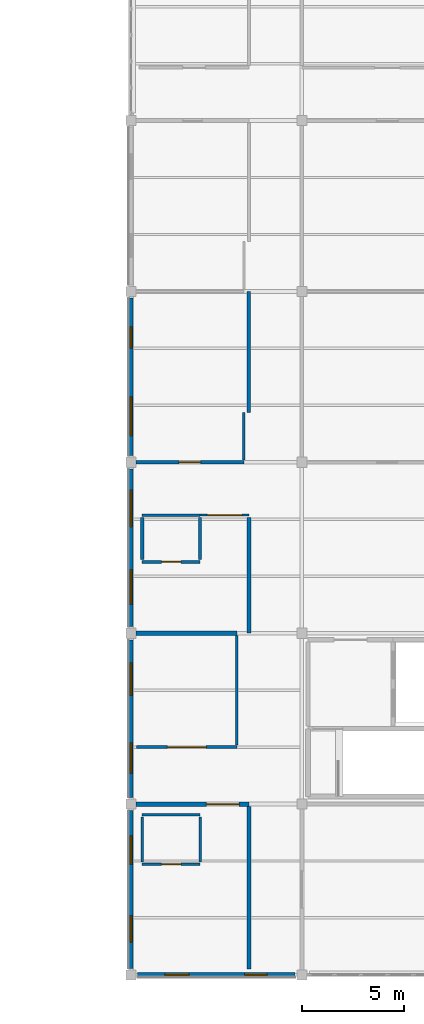
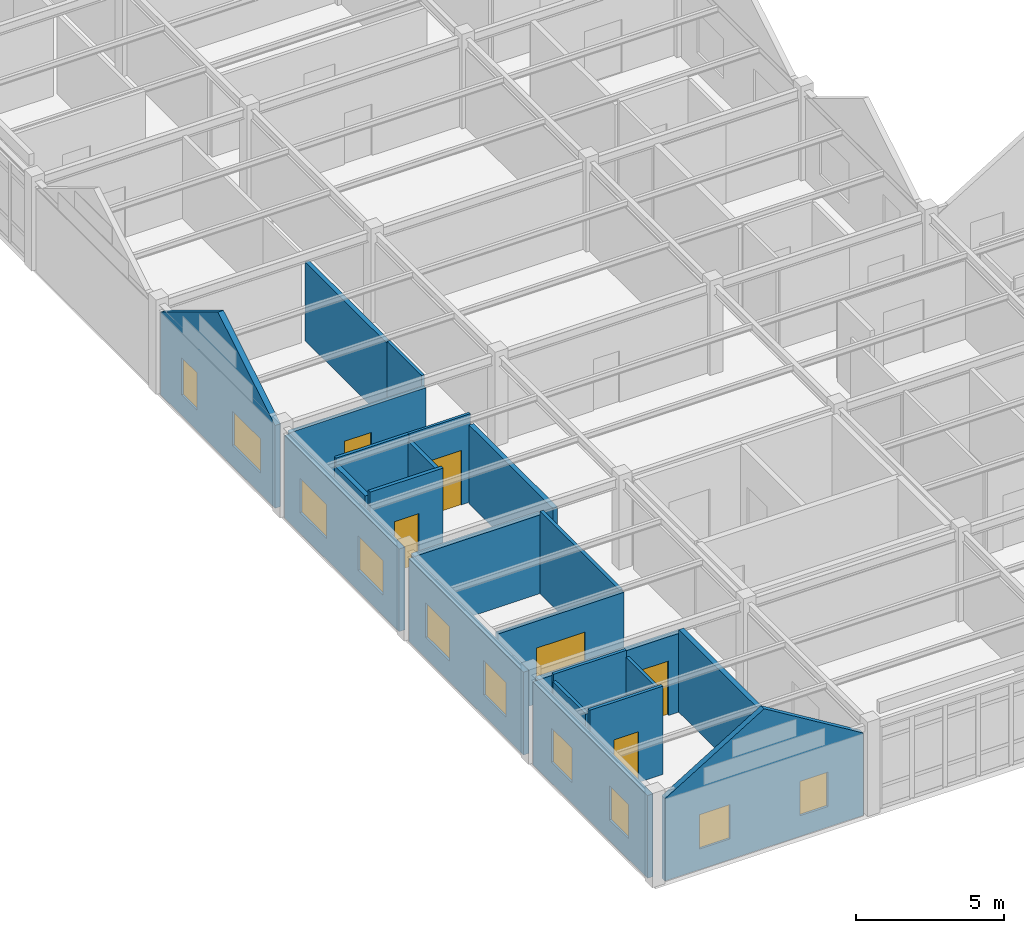
# One storey, part 32 of 45: 23 walls, 10 windows, 6 doors, 16 openings.
"""IFC4 building model written with IfcOpenShell, lengths in metres."""

from ifc_helpers import new_model, si_unit, direction, frame, frame_2d, origin, place, context, subcontext, project, spatial, polyline, rectangle, outline, extrude, material, layer, layer_set, type_object, element, fill, save


model = new_model("IFC4")

# Units and contexts
model_context = context("Model", 3, precision=1e-05, world=origin(), true_north=direction((0.0, 1.0)))
body_context = subcontext(model_context, "Body", "Model", "MODEL_VIEW")
ifc_project = project(units=[si_unit("LENGTHUNIT", "METRE"), si_unit("AREAUNIT", "SQUARE_METRE"), si_unit("VOLUMEUNIT", "CUBIC_METRE"), si_unit("PLANEANGLEUNIT", "RADIAN"), si_unit("MASSUNIT", "GRAM", prefix="KILO")], contexts=[model_context])

# Site, building, storey
site_placement = place(None, origin())
site = spatial("IfcSite", under=ifc_project, at=site_placement, CompositionType="ELEMENT")
building_placement = place(site_placement, origin())
building = spatial("IfcBuilding", under=site, at=building_placement, Name="Bramfleet General Hospital", CompositionType="ELEMENT")
storey_placement = place(building_placement, frame((0.0, 0.0, 30.300048828125)))
storey = spatial("IfcBuildingStorey", under=building, at=storey_placement, Name="L07", CompositionType="ELEMENT", Elevation=30.300048828125)

# Wall, openings, windows
ifc_material_1 = material(Name="Structural timber GL28h", Category="wood")
ifc_layer_1 = layer(ifc_material_1, 0.219970703125, Name="WT-EW-10")
ifc_layer_set_1 = layer_set([ifc_layer_1], Name="Structural timber GL28h")
wall_type_1 = type_object("IfcWallType", Name="WT-EW-10", PredefinedType="SOLIDWALL", material=ifc_layer_set_1)
wall_1_placement = place(storey_placement, frame((100.47509765625, 0.0, 0.0), z_axis=(0.0, 0.0, 1.0), x_axis=(-1.0, 0.0, 0.0)))
wall_1 = element("IfcWall", 1, at=wall_1_placement, inside=storey, type_object=wall_type_1, Name="L07 Exterior Wall 455", PredefinedType="SOLIDWALL", context=body_context, shape_type="SweptSolid", body=[
    extrude(outline(polyline([(0.0, 0.0), (7.75, 0.0), (7.75, 3.39990234375), (3.875, 5.76025390625), (0.0, 3.39990234375), (0.0, 0.0)])), frame((0.0, 0.10986328125, 0.0), z_axis=(0.0, -1.0, 0.0), x_axis=(1.0, 0.0, 0.0)), (0.0, 0.0, 1.0), 0.219970703125),
])
opening_1_placement = place(wall_1_placement, frame((1.387451171875, 0.0, 0.85009765625)))
opening_1 = element("IfcOpeningElement", 2, at=opening_1_placement, cuts=wall_1, Name="Opening W-12", PredefinedType="OPENING", context=body_context, shape_type="SweptSolid", body=[
    extrude(rectangle(XDim=1.10009765625, YDim=1.419921875, at=frame_2d((0.550048828125, 0.7099609375))), frame((0.0, 0.119873046875, 0.0), z_axis=(0.0, -1.0, 0.0), x_axis=(1.0, 0.0, 0.0)), (0.0, 0.0, 1.0), 0.239990234375),
])
opening_2_placement = place(wall_1_placement, frame((5.21240234375, 0.0, 0.85009765625)))
opening_2 = element("IfcOpeningElement", 3, at=opening_2_placement, cuts=wall_1, Name="Opening W-13", PredefinedType="OPENING", context=body_context, shape_type="SweptSolid", body=[
    extrude(rectangle(XDim=1.199951171875, YDim=1.419921875, at=frame_2d((0.60009765625, 0.7099609375))), frame((0.0, 0.119873046875, 0.0), z_axis=(0.0, -1.0, 0.0), x_axis=(1.0, 0.0, 0.0)), (0.0, 0.0, 1.0), 0.239990234375),
])
ifc_material_2 = material(Name="Anodised aluminium and low-E triple glazing", Category="aluminium")
window_type_1 = type_object("IfcWindowType", Name="WIN-W-12", PartitioningType="SINGLE_PANEL", PredefinedType="WINDOW", material=ifc_material_2)
window_1_placement = place(opening_1_placement, origin())
window_1 = element("IfcWindow", 4, at=window_1_placement, inside=storey, type_object=window_type_1, Name="L07 Facade Window WIN-L07-455-1", OverallHeight=1.419921875, OverallWidth=1.10009765625, PartitioningType="SINGLE_PANEL", PredefinedType="WINDOW", context=body_context, shape_type="SweptSolid", body=[
    extrude(rectangle(XDim=1.10009765625, YDim=1.419921875, at=frame_2d((0.550048828125, 0.7099609375))), frame((0.0, 0.030029296875, 0.0), z_axis=(0.0, -1.0, 0.0), x_axis=(1.0, 0.0, 0.0)), (0.0, 0.0, 1.0), 0.06005859375),
])
fill(opening_1, window_1)
window_type_2 = type_object("IfcWindowType", Name="WIN-W-13", PartitioningType="SINGLE_PANEL", PredefinedType="WINDOW", material=ifc_material_2)
window_2_placement = place(opening_2_placement, origin())
window_2 = element("IfcWindow", 5, at=window_2_placement, inside=storey, type_object=window_type_2, Name="L07 Facade Window WIN-L07-455-2", OverallHeight=1.419921875, OverallWidth=1.199951171875, PartitioningType="SINGLE_PANEL", PredefinedType="WINDOW", context=body_context, shape_type="SweptSolid", body=[
    extrude(rectangle(XDim=1.199951171875, YDim=1.419921875, at=frame_2d((0.60009765625, 0.7099609375))), frame((0.0, 0.030029296875, 0.0), z_axis=(0.0, -1.0, 0.0), x_axis=(1.0, 0.0, 0.0)), (0.0, 0.0, 1.0), 0.06005859375),
])
fill(opening_2, window_2)

wall_2_placement = place(storey_placement, frame((92.39990234375, 0.324951171875, 0.0), z_axis=(0.0, 0.0, 1.0), x_axis=(0.0, 1.0, 0.0)))
wall_2 = element("IfcWall", 6, at=wall_2_placement, inside=storey, type_object=wall_type_1, Name="L07 Exterior Wall 456", PredefinedType="SOLIDWALL", context=body_context, shape_type="SweptSolid", body=[
    extrude(rectangle(XDim=7.75, YDim=0.219970703125, at=frame_2d((3.875, 0.0))), origin(), (0.0, 0.0, 1.0), 3.419921875),
])
opening_3_placement = place(wall_2_placement, frame((1.28759765625, 0.0, 0.85009765625)))
opening_3 = element("IfcOpeningElement", 7, at=opening_3_placement, cuts=wall_2, Name="Opening W-14", PredefinedType="OPENING", context=body_context, shape_type="SweptSolid", body=[
    extrude(rectangle(XDim=1.300048828125, YDim=1.419921875, at=frame_2d((0.64990234375, 0.7099609375))), frame((0.0, 0.119873046875, 0.0), z_axis=(0.0, -1.0, 0.0), x_axis=(1.0, 0.0, 0.0)), (0.0, 0.0, 1.0), 0.239990234375),
])
opening_4_placement = place(wall_2_placement, frame((5.112548828125, 0.0, 0.85009765625)))
opening_4 = element("IfcOpeningElement", 8, at=opening_4_placement, cuts=wall_2, Name="Opening W-15", PredefinedType="OPENING", context=body_context, shape_type="SweptSolid", body=[
    extrude(rectangle(XDim=1.39990234375, YDim=1.419921875, at=frame_2d((0.699951171875, 0.7099609375))), frame((0.0, 0.119873046875, 0.0), z_axis=(0.0, -1.0, 0.0), x_axis=(1.0, 0.0, 0.0)), (0.0, 0.0, 1.0), 0.239990234375),
])
window_type_3 = type_object("IfcWindowType", Name="WIN-W-14", PartitioningType="SINGLE_PANEL", PredefinedType="WINDOW", material=ifc_material_2)
window_3_placement = place(opening_3_placement, origin())
window_3 = element("IfcWindow", 9, at=window_3_placement, inside=storey, type_object=window_type_3, Name="L07 Facade Window WIN-L07-456-1", OverallHeight=1.419921875, OverallWidth=1.300048828125, PartitioningType="SINGLE_PANEL", PredefinedType="WINDOW", context=body_context, shape_type="SweptSolid", body=[
    extrude(rectangle(XDim=1.300048828125, YDim=1.419921875, at=frame_2d((0.64990234375, 0.7099609375))), frame((0.0, 0.030029296875, 0.0), z_axis=(0.0, -1.0, 0.0), x_axis=(1.0, 0.0, 0.0)), (0.0, 0.0, 1.0), 0.06005859375),
])
fill(opening_3, window_3)
window_type_4 = type_object("IfcWindowType", Name="WIN-W-15", PartitioningType="SINGLE_PANEL", PredefinedType="WINDOW", material=ifc_material_2)
window_4_placement = place(opening_4_placement, origin())
window_4 = element("IfcWindow", 10, at=window_4_placement, inside=storey, type_object=window_type_4, Name="L07 Facade Window WIN-L07-456-2", OverallHeight=1.419921875, OverallWidth=1.39990234375, PartitioningType="SINGLE_PANEL", PredefinedType="WINDOW", context=body_context, shape_type="SweptSolid", body=[
    extrude(rectangle(XDim=1.39990234375, YDim=1.419921875, at=frame_2d((0.699951171875, 0.7099609375))), frame((0.0, 0.030029296875, 0.0), z_axis=(0.0, -1.0, 0.0), x_axis=(1.0, 0.0, 0.0)), (0.0, 0.0, 1.0), 0.06005859375),
])
fill(opening_4, window_4)

wall_3_placement = place(storey_placement, frame((92.39990234375, 8.72509765625, 0.0), z_axis=(0.0, 0.0, 1.0), x_axis=(0.0, 1.0, 0.0)))
wall_3 = element("IfcWall", 11, at=wall_3_placement, inside=storey, type_object=wall_type_1, Name="L07 Exterior Wall 457", PredefinedType="SOLIDWALL", context=body_context, shape_type="SweptSolid", body=[
    extrude(rectangle(XDim=7.75, YDim=0.219970703125, at=frame_2d((3.875, 0.0))), origin(), (0.0, 0.0, 1.0), 3.419921875),
])
opening_5_placement = place(wall_3_placement, frame((1.1875, 0.0, 0.85009765625)))
opening_5 = element("IfcOpeningElement", 12, at=opening_5_placement, cuts=wall_3, Name="Opening W-16", PredefinedType="OPENING", context=body_context, shape_type="SweptSolid", body=[
    extrude(rectangle(XDim=1.5, YDim=1.419921875, at=frame_2d((0.75, 0.7099609375))), frame((0.0, 0.119873046875, 0.0), z_axis=(0.0, -1.0, 0.0), x_axis=(1.0, 0.0, 0.0)), (0.0, 0.0, 1.0), 0.239990234375),
])
opening_6_placement = place(wall_3_placement, frame((5.012451171875, 0.0, 0.85009765625)))
opening_6 = element("IfcOpeningElement", 13, at=opening_6_placement, cuts=wall_3, Name="Opening W-17", PredefinedType="OPENING", context=body_context, shape_type="SweptSolid", body=[
    extrude(rectangle(XDim=1.60009765625, YDim=1.419921875, at=frame_2d((0.800048828125, 0.7099609375))), frame((0.0, 0.119873046875, 0.0), z_axis=(0.0, -1.0, 0.0), x_axis=(1.0, 0.0, 0.0)), (0.0, 0.0, 1.0), 0.239990234375),
])
window_type_5 = type_object("IfcWindowType", Name="WIN-W-16", PartitioningType="SINGLE_PANEL", PredefinedType="WINDOW", material=ifc_material_2)
window_5_placement = place(opening_5_placement, origin())
window_5 = element("IfcWindow", 14, at=window_5_placement, inside=storey, type_object=window_type_5, Name="L07 Facade Window WIN-L07-457-1", OverallHeight=1.419921875, OverallWidth=1.5, PartitioningType="SINGLE_PANEL", PredefinedType="WINDOW", context=body_context, shape_type="SweptSolid", body=[
    extrude(rectangle(XDim=1.5, YDim=1.419921875, at=frame_2d((0.75, 0.7099609375))), frame((0.0, 0.030029296875, 0.0), z_axis=(0.0, -1.0, 0.0), x_axis=(1.0, 0.0, 0.0)), (0.0, 0.0, 1.0), 0.06005859375),
])
fill(opening_5, window_5)
window_type_6 = type_object("IfcWindowType", Name="WIN-W-17", PartitioningType="SINGLE_PANEL", PredefinedType="WINDOW", material=ifc_material_2)
window_6_placement = place(opening_6_placement, origin())
window_6 = element("IfcWindow", 15, at=window_6_placement, inside=storey, type_object=window_type_6, Name="L07 Facade Window WIN-L07-457-2", OverallHeight=1.419921875, OverallWidth=1.60009765625, PartitioningType="SINGLE_PANEL", PredefinedType="WINDOW", context=body_context, shape_type="SweptSolid", body=[
    extrude(rectangle(XDim=1.60009765625, YDim=1.419921875, at=frame_2d((0.800048828125, 0.7099609375))), frame((0.0, 0.030029296875, 0.0), z_axis=(0.0, -1.0, 0.0), x_axis=(1.0, 0.0, 0.0)), (0.0, 0.0, 1.0), 0.06005859375),
])
fill(opening_6, window_6)

wall_4_placement = place(storey_placement, frame((92.39990234375, 17.125, 0.0), z_axis=(0.0, 0.0, 1.0), x_axis=(0.0, 1.0, 0.0)))
wall_4 = element("IfcWall", 16, at=wall_4_placement, inside=storey, type_object=wall_type_1, Name="L07 Exterior Wall 458", PredefinedType="SOLIDWALL", context=body_context, shape_type="SweptSolid", body=[
    extrude(rectangle(XDim=7.75, YDim=0.219970703125, at=frame_2d((3.875, 0.0))), origin(), (0.0, 0.0, 1.0), 3.419921875),
])
opening_7_placement = place(wall_4_placement, frame((1.08740234375, 0.0, 0.85009765625)))
opening_7 = element("IfcOpeningElement", 17, at=opening_7_placement, cuts=wall_4, Name="Opening W-18", PredefinedType="OPENING", context=body_context, shape_type="SweptSolid", body=[
    extrude(rectangle(XDim=1.699951171875, YDim=1.419921875, at=frame_2d((0.85009765625, 0.7099609375))), frame((0.0, 0.119873046875, 0.0), z_axis=(0.0, -1.0, 0.0), x_axis=(1.0, 0.0, 0.0)), (0.0, 0.0, 1.0), 0.239990234375),
])
opening_8_placement = place(wall_4_placement, frame((4.91259765625, 0.0, 0.85009765625)))
opening_8 = element("IfcOpeningElement", 18, at=opening_8_placement, cuts=wall_4, Name="Opening W-19", PredefinedType="OPENING", context=body_context, shape_type="SweptSolid", body=[
    extrude(rectangle(XDim=1.800048828125, YDim=1.419921875, at=frame_2d((0.89990234375, 0.7099609375))), frame((0.0, 0.119873046875, 0.0), z_axis=(0.0, -1.0, 0.0), x_axis=(1.0, 0.0, 0.0)), (0.0, 0.0, 1.0), 0.239990234375),
])
window_type_7 = type_object("IfcWindowType", Name="WIN-W-18", PartitioningType="SINGLE_PANEL", PredefinedType="WINDOW", material=ifc_material_2)
window_7_placement = place(opening_7_placement, origin())
window_7 = element("IfcWindow", 19, at=window_7_placement, inside=storey, type_object=window_type_7, Name="L07 Facade Window WIN-L07-458-1", OverallHeight=1.419921875, OverallWidth=1.699951171875, PartitioningType="SINGLE_PANEL", PredefinedType="WINDOW", context=body_context, shape_type="SweptSolid", body=[
    extrude(rectangle(XDim=1.699951171875, YDim=1.419921875, at=frame_2d((0.85009765625, 0.7099609375))), frame((0.0, 0.030029296875, 0.0), z_axis=(0.0, -1.0, 0.0), x_axis=(1.0, 0.0, 0.0)), (0.0, 0.0, 1.0), 0.06005859375),
])
fill(opening_7, window_7)
window_type_8 = type_object("IfcWindowType", Name="WIN-W-19", PartitioningType="SINGLE_PANEL", PredefinedType="WINDOW", material=ifc_material_2)
window_8_placement = place(opening_8_placement, origin())
window_8 = element("IfcWindow", 20, at=window_8_placement, inside=storey, type_object=window_type_8, Name="L07 Facade Window WIN-L07-458-2", OverallHeight=1.419921875, OverallWidth=1.800048828125, PartitioningType="SINGLE_PANEL", PredefinedType="WINDOW", context=body_context, shape_type="SweptSolid", body=[
    extrude(rectangle(XDim=1.800048828125, YDim=1.419921875, at=frame_2d((0.89990234375, 0.7099609375))), frame((0.0, 0.030029296875, 0.0), z_axis=(0.0, -1.0, 0.0), x_axis=(1.0, 0.0, 0.0)), (0.0, 0.0, 1.0), 0.06005859375),
])
fill(opening_8, window_8)

wall_5_placement = place(storey_placement, frame((92.39990234375, 25.52490234375, 0.0), z_axis=(0.0, 0.0, 1.0), x_axis=(0.0, 1.0, 0.0)))
wall_5 = element("IfcWall", 21, at=wall_5_placement, inside=storey, type_object=wall_type_1, Name="L07 Exterior Wall 459", PredefinedType="SOLIDWALL", context=body_context, shape_type="SweptSolid", body=[
    extrude(outline(polyline([(0.0, 0.0), (7.75, 0.0), (7.75, 3.419921875), (3.875, 5.76025390625), (0.0, 3.419921875), (0.0, 0.0)])), frame((0.0, 0.10986328125, 0.0), z_axis=(0.0, -1.0, 0.0), x_axis=(1.0, 0.0, 0.0)), (0.0, 0.0, 1.0), 0.219970703125),
])
opening_9_placement = place(wall_5_placement, frame((0.987548828125, 0.0, 0.85009765625)))
opening_9 = element("IfcOpeningElement", 22, at=opening_9_placement, cuts=wall_5, Name="Opening W-20", PredefinedType="OPENING", context=body_context, shape_type="SweptSolid", body=[
    extrude(rectangle(XDim=1.89990234375, YDim=1.419921875, at=frame_2d((0.949951171875, 0.7099609375))), frame((0.0, 0.119873046875, 0.0), z_axis=(0.0, -1.0, 0.0), x_axis=(1.0, 0.0, 0.0)), (0.0, 0.0, 1.0), 0.239990234375),
])
opening_10_placement = place(wall_5_placement, frame((5.28759765625, 0.0, 0.85009765625)))
opening_10 = element("IfcOpeningElement", 23, at=opening_10_placement, cuts=wall_5, Name="Opening W-21", PredefinedType="OPENING", context=body_context, shape_type="SweptSolid", body=[
    extrude(rectangle(XDim=1.050048828125, YDim=1.5400390625, at=frame_2d((0.52490234375, 0.77001953125))), frame((0.0, 0.119873046875, 0.0), z_axis=(0.0, -1.0, 0.0), x_axis=(1.0, 0.0, 0.0)), (0.0, 0.0, 1.0), 0.239990234375),
])
window_type_9 = type_object("IfcWindowType", Name="WIN-W-20", PartitioningType="SINGLE_PANEL", PredefinedType="WINDOW", material=ifc_material_2)
window_9_placement = place(opening_9_placement, origin())
window_9 = element("IfcWindow", 24, at=window_9_placement, inside=storey, type_object=window_type_9, Name="L07 Facade Window WIN-L07-459-1", OverallHeight=1.419921875, OverallWidth=1.89990234375, PartitioningType="SINGLE_PANEL", PredefinedType="WINDOW", context=body_context, shape_type="SweptSolid", body=[
    extrude(rectangle(XDim=1.89990234375, YDim=1.419921875, at=frame_2d((0.949951171875, 0.7099609375))), frame((0.0, 0.030029296875, 0.0), z_axis=(0.0, -1.0, 0.0), x_axis=(1.0, 0.0, 0.0)), (0.0, 0.0, 1.0), 0.06005859375),
])
fill(opening_9, window_9)
window_type_10 = type_object("IfcWindowType", Name="WIN-W-21", PartitioningType="SINGLE_PANEL", PredefinedType="WINDOW", material=ifc_material_2)
window_10_placement = place(opening_10_placement, origin())
window_10 = element("IfcWindow", 25, at=window_10_placement, inside=storey, type_object=window_type_10, Name="L07 Facade Window WIN-L07-459-2", OverallHeight=1.5400390625, OverallWidth=1.050048828125, PartitioningType="SINGLE_PANEL", PredefinedType="WINDOW", context=body_context, shape_type="SweptSolid", body=[
    extrude(rectangle(XDim=1.050048828125, YDim=1.5400390625, at=frame_2d((0.52490234375, 0.77001953125))), frame((0.0, 0.030029296875, 0.0), z_axis=(0.0, -1.0, 0.0), x_axis=(1.0, 0.0, 0.0)), (0.0, 0.0, 1.0), 0.06005859375),
])
fill(opening_10, window_10)

# Wall, opening, door
ifc_material_3 = material(Name="Concrete C35/45", Category="concrete")
ifc_layer_2 = layer(ifc_material_3, 0.219970703125, Name="WT-IW-01")
ifc_layer_set_2 = layer_set([ifc_layer_2], Name="Concrete C35/45")
wall_type_2 = type_object("IfcWallType", Name="WT-IW-01", PredefinedType="PARTITIONING", material=ifc_layer_set_2)
wall_6_placement = place(storey_placement, frame((92.64501953125, 8.39990234375, 0.0), z_axis=(0.0, 0.0, 1.0), x_axis=(1.0, 0.0, 0.0)))
wall_6 = element("IfcWall", 26, at=wall_6_placement, inside=storey, type_object=wall_type_2, Name="L07 Interior Partition IW-L07-4129", PredefinedType="PARTITIONING", context=body_context, shape_type="SweptSolid", body=[
    extrude(rectangle(XDim=5.554931640625, YDim=0.219970703125, at=frame_2d((2.77734375, 0.0))), origin(), (0.0, 0.0, 1.0), 3.25),
])
opening_11_placement = place(wall_6_placement, frame((3.4658203125, 0.0, 0.0)))
opening_11 = element("IfcOpeningElement", 27, at=opening_11_placement, cuts=wall_6, Name="Opening D1540", PredefinedType="OPENING", context=body_context, shape_type="SweptSolid", body=[
    extrude(rectangle(XDim=1.60009765625, YDim=2.25, at=frame_2d((0.800048828125, 1.125))), frame((0.0, 0.119873046875, 0.0), z_axis=(0.0, -1.0, 0.0), x_axis=(1.0, 0.0, 0.0)), (0.0, 0.0, 1.0), 0.239990234375),
])
ifc_material_4 = material(Name="Stainless steel and acoustic timber leaf", Category="steel")
door_type_1 = type_object("IfcDoorType", Name="DR-D-04", OperationType="NOTDEFINED", PredefinedType="DOOR", material=ifc_material_4)
door_1_placement = place(opening_11_placement, origin())
door_1 = element("IfcDoor", 28, at=door_1_placement, inside=storey, type_object=door_type_1, Name="Gabled Patient House PH-05 Bedroom 1100 Door D1540", OperationType="DOUBLE_SWING_LEFT", OverallHeight=2.25, OverallWidth=1.60009765625, PredefinedType="DOOR", context=body_context, shape_type="SweptSolid", body=[
    extrude(rectangle(XDim=1.60009765625, YDim=2.25, at=frame_2d((0.800048828125, 1.125))), frame((0.0, 0.02490234375, 0.0), z_axis=(0.0, -1.0, 0.0), x_axis=(1.0, 0.0, 0.0)), (0.0, 0.0, 1.0), 0.050048828125),
])
fill(opening_11, door_1)

# Walls
wall_7_placement = place(storey_placement, frame((92.64501953125, 16.800048828125, 0.0), z_axis=(0.0, 0.0, 1.0), x_axis=(1.0, 0.0, 0.0)))
element("IfcWall", 29, at=wall_7_placement, inside=storey, type_object=wall_type_2, Name="L07 Interior Partition IW-L07-4141", PredefinedType="PARTITIONING", context=body_context, shape_type="SweptSolid", body=[
    extrude(rectangle(XDim=4.955078125, YDim=0.219970703125, at=frame_2d((2.4775390625, 0.0))), origin(), (0.0, 0.0, 1.0), 3.25),
])
ifc_layer_3 = layer(ifc_material_3, 0.18994140625, Name="WT-IW-03")
ifc_layer_set_3 = layer_set([ifc_layer_3], Name="Concrete C35/45")
wall_type_3 = type_object("IfcWallType", Name="WT-IW-03", PredefinedType="PARTITIONING", material=ifc_layer_set_3)
wall_8_placement = place(storey_placement, frame((98.199951171875, 0.280029296875, 0.0), z_axis=(0.0, 0.0, 1.0), x_axis=(0.0, 1.0, 0.0)))
element("IfcWall", 30, at=wall_8_placement, inside=storey, type_object=wall_type_3, Name="L07 Interior Partition IW-L07-4275", PredefinedType="PARTITIONING", context=body_context, shape_type="SweptSolid", body=[
    extrude(rectangle(XDim=8.0048828125, YDim=0.18994140625, at=frame_2d((4.00244140625, 0.0))), origin(), (0.0, 0.0, 1.0), 3.409912109375),
])
ifc_layer_4 = layer(ifc_material_3, 0.179931640625, Name="WT-IW-04")
ifc_layer_set_4 = layer_set([ifc_layer_4], Name="Concrete C35/45")
wall_type_4 = type_object("IfcWallType", Name="WT-IW-04", PredefinedType="PARTITIONING", material=ifc_layer_set_4)
wall_9_placement = place(storey_placement, frame((92.949951171875, 20.4150390625, 0.0), z_axis=(0.0, 0.0, 1.0), x_axis=(0.0, 1.0, 0.0)))
element("IfcWall", 31, at=wall_9_placement, inside=storey, type_object=wall_type_4, Name="L07 Interior Partition IW-L07-4264", PredefinedType="PARTITIONING", context=body_context, shape_type="SweptSolid", body=[
    extrude(rectangle(XDim=2.070068359375, YDim=0.179931640625, at=frame_2d((1.03515625, 0.0))), origin(), (0.0, 0.0, 1.0), 3.409912109375),
])
wall_10_placement = place(storey_placement, frame((98.199951171875, 16.800048828125, 0.0), z_axis=(0.0, 0.0, 1.0), x_axis=(0.0, 1.0, 0.0)))
element("IfcWall", 32, at=wall_10_placement, inside=storey, type_object=wall_type_4, Name="L07 Interior Partition IW-L07-4276", PredefinedType="PARTITIONING", context=body_context, shape_type="SweptSolid", body=[
    extrude(rectangle(XDim=5.68505859375, YDim=0.179931640625, at=frame_2d((2.842529296875, 0.0))), origin(), (0.0, 0.0, 1.0), 3.25),
])
ifc_material_5 = material(Name="Gypsum plasterboard on acoustic steel studs", Category="steel")
ifc_layer_5 = layer(ifc_material_5, 0.169921875, Name="WT-IW-05")
ifc_layer_set_5 = layer_set([ifc_layer_5], Name="Gypsum plasterboard on acoustic steel studs")
wall_type_5 = type_object("IfcWallType", Name="WT-IW-05", PredefinedType="PARTITIONING", material=ifc_layer_set_5)
wall_11_placement = place(storey_placement, frame((98.199951171875, 27.64990234375, 0.0), z_axis=(0.0, 0.0, 1.0), x_axis=(0.0, 1.0, 0.0)))
element("IfcWall", 33, at=wall_11_placement, inside=storey, type_object=wall_type_5, Name="L07 Interior Partition IW-L07-4277", PredefinedType="PARTITIONING", context=body_context, shape_type="SweptSolid", body=[
    extrude(rectangle(XDim=5.9501953125, YDim=0.169921875, at=frame_2d((2.97509765625, 0.0))), origin(), (0.0, 0.0, 1.0), 3.25),
])

# Wall, opening, door
ifc_layer_6 = layer(ifc_material_5, 0.159912109375, Name="WT-IW-06")
ifc_layer_set_6 = layer_set([ifc_layer_6], Name="Gypsum plasterboard on acoustic steel studs")
wall_type_6 = type_object("IfcWallType", Name="WT-IW-06", PredefinedType="PARTITIONING", material=ifc_layer_set_6)
wall_12_placement = place(storey_placement, frame((92.679931640625, 11.199951171875, 0.0), z_axis=(0.0, 0.0, 1.0), x_axis=(1.0, 0.0, 0.0)))
wall_12 = element("IfcWall", 34, at=wall_12_placement, inside=storey, type_object=wall_type_6, Name="L07 Interior Partition IW-L07-4134", PredefinedType="PARTITIONING", context=body_context, shape_type="SweptSolid", body=[
    extrude(rectangle(XDim=4.920166015625, YDim=0.159912109375, at=frame_2d((2.4599609375, 0.0))), origin(), (0.0, 0.0, 1.0), 3.409912109375),
])
opening_12_placement = place(wall_12_placement, frame((1.510009765625, 0.0, 0.0)))
opening_12 = element("IfcOpeningElement", 35, at=opening_12_placement, cuts=wall_12, Name="Opening D1542", PredefinedType="OPENING", context=body_context, shape_type="SweptSolid", body=[
    extrude(rectangle(XDim=1.89990234375, YDim=2.300048828125, at=frame_2d((0.949951171875, 1.14990234375))), frame((0.0, 0.08984375, 0.0), z_axis=(0.0, -1.0, 0.0), x_axis=(1.0, 0.0, 0.0)), (0.0, 0.0, 1.0), 0.179931640625),
])
door_type_2 = type_object("IfcDoorType", Name="DR-D-06", OperationType="NOTDEFINED", PredefinedType="DOOR", material=ifc_material_4)
door_2_placement = place(opening_12_placement, origin())
door_2 = element("IfcDoor", 36, at=door_2_placement, inside=storey, type_object=door_type_2, Name="Flat-Link Nurse Station and Medication Hub L07-1101 Door D1542", OperationType="DOUBLE_SWING_LEFT", OverallHeight=2.300048828125, OverallWidth=1.89990234375, PredefinedType="DOOR", context=body_context, shape_type="SweptSolid", body=[
    extrude(rectangle(XDim=1.89990234375, YDim=2.300048828125, at=frame_2d((0.949951171875, 1.14990234375))), frame((0.0, 0.02490234375, 0.0), z_axis=(0.0, -1.0, 0.0), x_axis=(1.0, 0.0, 0.0)), (0.0, 0.0, 1.0), 0.050048828125),
])
fill(opening_12, door_2)

wall_13_placement = place(storey_placement, frame((92.64501953125, 25.199951171875, 0.0), z_axis=(0.0, 0.0, 1.0), x_axis=(1.0, 0.0, 0.0)))
wall_13 = element("IfcWall", 37, at=wall_13_placement, inside=storey, type_object=wall_type_6, Name="L07 Interior Partition IW-L07-4158", PredefinedType="PARTITIONING", context=body_context, shape_type="SweptSolid", body=[
    extrude(rectangle(XDim=5.304931640625, YDim=0.159912109375, at=frame_2d((2.65234375, 0.0))), origin(), (0.0, 0.0, 1.0), 3.25),
])
opening_13_placement = place(wall_13_placement, frame((2.12744140625, 0.0, 0.0)))
opening_13 = element("IfcOpeningElement", 38, at=opening_13_placement, cuts=wall_13, Name="Opening D1545", PredefinedType="OPENING", context=body_context, shape_type="SweptSolid", body=[
    extrude(rectangle(XDim=1.050048828125, YDim=2.14990234375, at=frame_2d((0.52490234375, 1.074951171875))), frame((0.0, 0.08984375, 0.0), z_axis=(0.0, -1.0, 0.0), x_axis=(1.0, 0.0, 0.0)), (0.0, 0.0, 1.0), 0.179931640625),
])
door_type_3 = type_object("IfcDoorType", Name="DR-D-09", OperationType="NOTDEFINED", PredefinedType="DOOR", material=ifc_material_4)
door_3_placement = place(opening_13_placement, origin())
door_3 = element("IfcDoor", 39, at=door_3_placement, inside=storey, type_object=door_type_3, Name="Gabled Patient House PH-09 Bedroom 1103 Door D1545", OperationType="SINGLE_SWING_RIGHT", OverallHeight=2.14990234375, OverallWidth=1.050048828125, PredefinedType="DOOR", context=body_context, shape_type="SweptSolid", body=[
    extrude(rectangle(XDim=1.050048828125, YDim=2.14990234375, at=frame_2d((0.52490234375, 1.074951171875))), frame((0.0, 0.02490234375, 0.0), z_axis=(0.0, -1.0, 0.0), x_axis=(1.0, 0.0, 0.0)), (0.0, 0.0, 1.0), 0.050048828125),
])
fill(opening_13, door_3)

# Wall
ifc_layer_7 = layer(ifc_material_5, 0.14990234375, Name="WT-IW-07")
ifc_layer_set_7 = layer_set([ifc_layer_7], Name="Gypsum plasterboard on acoustic steel studs")
wall_type_7 = type_object("IfcWallType", Name="WT-IW-07", PredefinedType="PARTITIONING", material=ifc_layer_set_7)
wall_14_placement = place(storey_placement, frame((95.800048828125, 20.4150390625, 0.0), z_axis=(0.0, 0.0, 1.0), x_axis=(0.0, 1.0, 0.0)))
element("IfcWall", 40, at=wall_14_placement, inside=storey, type_object=wall_type_7, Name="L07 Interior Partition IW-L07-4267", PredefinedType="PARTITIONING", context=body_context, shape_type="SweptSolid", body=[
    extrude(rectangle(XDim=2.070068359375, YDim=0.14990234375, at=frame_2d((1.03515625, 0.0))), origin(), (0.0, 0.0, 1.0), 3.409912109375),
])

# Wall, opening, door
ifc_layer_8 = layer(ifc_material_5, 0.139892578125, Name="WT-IW-08")
ifc_layer_set_8 = layer_set([ifc_layer_8], Name="Gypsum plasterboard on acoustic steel studs")
wall_type_8 = type_object("IfcWallType", Name="WT-IW-08", PredefinedType="PARTITIONING", material=ifc_layer_set_8)
wall_15_placement = place(storey_placement, frame((92.949951171875, 20.300048828125, 0.0), z_axis=(0.0, 0.0, 1.0), x_axis=(1.0, 0.0, 0.0)))
wall_15 = element("IfcWall", 41, at=wall_15_placement, inside=storey, type_object=wall_type_8, Name="L07 Interior Partition IW-L07-4148", PredefinedType="PARTITIONING", context=body_context, shape_type="SweptSolid", body=[
    extrude(rectangle(XDim=2.85009765625, YDim=0.139892578125, at=frame_2d((1.425048828125, 0.0))), origin(), (0.0, 0.0, 1.0), 3.64990234375),
])
opening_14_placement = place(wall_15_placement, frame((0.949951171875, 0.0, 0.0)))
opening_14 = element("IfcOpeningElement", 42, at=opening_14_placement, cuts=wall_15, Name="Opening D1544", PredefinedType="OPENING", context=body_context, shape_type="SweptSolid", body=[
    extrude(rectangle(XDim=0.949951171875, YDim=2.10009765625, at=frame_2d((0.47509765625, 1.050048828125))), frame((0.0, 0.079833984375, 0.0), z_axis=(0.0, -1.0, 0.0), x_axis=(1.0, 0.0, 0.0)), (0.0, 0.0, 1.0), 0.159912109375),
])
door_type_4 = type_object("IfcDoorType", Name="DR-D-10", OperationType="NOTDEFINED", PredefinedType="DOOR", material=ifc_material_4)
door_4_placement = place(opening_14_placement, origin())
door_4 = element("IfcDoor", 43, at=door_4_placement, inside=storey, type_object=door_type_4, Name="Patient House PH-05 En-Suite Bathroom 1102 Door D1544", OperationType="SINGLE_SWING_LEFT", OverallHeight=2.10009765625, OverallWidth=0.949951171875, PredefinedType="DOOR", context=body_context, shape_type="SweptSolid", body=[
    extrude(rectangle(XDim=0.949951171875, YDim=2.10009765625, at=frame_2d((0.47509765625, 1.050048828125))), frame((0.0, 0.02490234375, 0.0), z_axis=(0.0, -1.0, 0.0), x_axis=(1.0, 0.0, 0.0)), (0.0, 0.0, 1.0), 0.050048828125),
])
fill(opening_14, door_4)

# Wall
ifc_layer_9 = layer(ifc_material_5, 0.1298828125, Name="WT-IW-09")
ifc_layer_set_9 = layer_set([ifc_layer_9], Name="Gypsum plasterboard on acoustic steel studs")
wall_type_9 = type_object("IfcWallType", Name="WT-IW-09", PredefinedType="PARTITIONING", material=ifc_layer_set_9)
wall_16_placement = place(storey_placement, frame((97.60009765625, 11.31494140625, 0.0), z_axis=(0.0, 0.0, 1.0), x_axis=(0.0, 1.0, 0.0)))
element("IfcWall", 44, at=wall_16_placement, inside=storey, type_object=wall_type_9, Name="L07 Interior Partition IW-L07-4269", PredefinedType="PARTITIONING", context=body_context, shape_type="SweptSolid", body=[
    extrude(rectangle(XDim=5.3701171875, YDim=0.1298828125, at=frame_2d((2.68505859375, 0.0))), origin(), (0.0, 0.0, 1.0), 3.409912109375),
])

# Wall, opening, door
ifc_layer_10 = layer(ifc_material_5, 0.1201171875, Name="WT-IW-10")
ifc_layer_set_10 = layer_set([ifc_layer_10], Name="Gypsum plasterboard on acoustic steel studs")
wall_type_10 = type_object("IfcWallType", Name="WT-IW-10", PredefinedType="PARTITIONING", material=ifc_layer_set_10)
wall_17_placement = place(storey_placement, frame((92.949951171875, 5.429931640625, 0.0), z_axis=(0.0, 0.0, 1.0), x_axis=(1.0, 0.0, 0.0)))
wall_17 = element("IfcWall", 45, at=wall_17_placement, inside=storey, type_object=wall_type_10, Name="L07 Interior Partition IW-L07-4123", PredefinedType="PARTITIONING", context=body_context, shape_type="SweptSolid", body=[
    extrude(rectangle(XDim=2.85009765625, YDim=0.1201171875, at=frame_2d((1.425048828125, 0.0))), origin(), (0.0, 0.0, 1.0), 3.64990234375),
])
opening_15_placement = place(wall_17_placement, frame((0.949951171875, 0.0, 0.0)))
opening_15 = element("IfcOpeningElement", 46, at=opening_15_placement, cuts=wall_17, Name="Opening D1541", PredefinedType="OPENING", context=body_context, shape_type="SweptSolid", body=[
    extrude(rectangle(XDim=0.949951171875, YDim=2.10009765625, at=frame_2d((0.47509765625, 1.050048828125))), frame((0.0, 0.070068359375, 0.0), z_axis=(0.0, -1.0, 0.0), x_axis=(1.0, 0.0, 0.0)), (0.0, 0.0, 1.0), 0.14013671875),
])
door_5_placement = place(opening_15_placement, origin())
door_5 = element("IfcDoor", 47, at=door_5_placement, inside=storey, type_object=door_type_4, Name="Patient House PH-05 En-Suite Bathroom 1100 Door D1541", OperationType="SINGLE_SWING_LEFT", OverallHeight=2.10009765625, OverallWidth=0.949951171875, PredefinedType="DOOR", context=body_context, shape_type="SweptSolid", body=[
    extrude(rectangle(XDim=0.949951171875, YDim=2.10009765625, at=frame_2d((0.47509765625, 1.050048828125))), frame((0.0, 0.02490234375, 0.0), z_axis=(0.0, -1.0, 0.0), x_axis=(1.0, 0.0, 0.0)), (0.0, 0.0, 1.0), 0.050048828125),
])
fill(opening_15, door_5)

# Walls
for number, where, z_axis, x_axis, name in (
    (48, (92.949951171875, 7.8798828125, 0.0), (0.0, 0.0, 1.0), (1.0, 0.0, 0.0), "L07 Interior Partition IW-L07-4126"),
    (49, (92.949951171875, 22.60009765625, 0.0), (0.0, 0.0, 1.0), (1.0, 0.0, 0.0), "L07 Interior Partition IW-L07-4151"),
):
    element("IfcWall", number, at=place(storey_placement, frame(where, z_axis=z_axis, x_axis=x_axis)), inside=storey, type_object=wall_type_10, Name=name, PredefinedType="PARTITIONING", context=body_context, shape_type="SweptSolid", body=[
        extrude(rectangle(XDim=2.85009765625, YDim=0.1201171875, at=frame_2d((1.425048828125, 0.0))), origin(), (0.0, 0.0, 1.0), 3.64990234375),
    ])
for number, where, z_axis, x_axis, name in (
    (50, (92.949951171875, 5.544921875, 0.0), (0.0, 0.0, 1.0), (0.0, 1.0, 0.0), "L07 Interior Partition IW-L07-4263"),
    (51, (95.800048828125, 5.544921875, 0.0), (0.0, 0.0, 1.0), (0.0, 1.0, 0.0), "L07 Interior Partition IW-L07-4266"),
):
    element("IfcWall", number, at=place(storey_placement, frame(where, z_axis=z_axis, x_axis=x_axis)), inside=storey, type_object=wall_type_10, Name=name, PredefinedType="PARTITIONING", context=body_context, shape_type="SweptSolid", body=[
        extrude(rectangle(XDim=2.219970703125, YDim=0.1201171875, at=frame_2d((1.10986328125, 0.0))), origin(), (0.0, 0.0, 1.0), 3.409912109375),
    ])
ifc_layer_11 = layer(ifc_material_5, 0.112060546875, Name="WT-IW-11")
ifc_layer_set_11 = layer_set([ifc_layer_11], Name="Gypsum plasterboard on acoustic steel studs")
wall_type_11 = type_object("IfcWallType", Name="WT-IW-11", PredefinedType="PARTITIONING", material=ifc_layer_set_11)
wall_18_placement = place(storey_placement, frame((97.949951171875, 25.31494140625, 0.0), z_axis=(0.0, 0.0, 1.0), x_axis=(0.0, 1.0, 0.0)))
element("IfcWall", 52, at=wall_18_placement, inside=storey, type_object=wall_type_11, Name="L07 Interior Partition IW-L07-4271", PredefinedType="PARTITIONING", context=body_context, shape_type="SweptSolid", body=[
    extrude(rectangle(XDim=2.3349609375, YDim=0.112060546875, at=frame_2d((1.16748046875, 0.0))), origin(), (0.0, 0.0, 1.0), 3.64990234375),
])

# Wall, opening, door
ifc_layer_12 = layer(ifc_material_5, 0.10009765625, Name="WT-IW-12")
ifc_layer_set_12 = layer_set([ifc_layer_12], Name="Gypsum plasterboard on acoustic steel studs")
wall_type_12 = type_object("IfcWallType", Name="WT-IW-12", PredefinedType="PARTITIONING", material=ifc_layer_set_12)
wall_19_placement = place(storey_placement, frame((95.800048828125, 22.60009765625, 0.0), z_axis=(0.0, 0.0, 1.0), x_axis=(1.0, 0.0, 0.0)))
wall_19 = element("IfcWall", 53, at=wall_19_placement, inside=storey, type_object=wall_type_12, Name="L07 Interior Partition IW-L07-4152", PredefinedType="PARTITIONING", context=body_context, shape_type="SweptSolid", body=[
    extrude(rectangle(XDim=2.39990234375, YDim=0.10009765625, at=frame_2d((1.199951171875, 0.0))), origin(), (0.0, 0.0, 1.0), 3.64990234375),
])
opening_16_placement = place(wall_19_placement, frame((0.35009765625, 0.0, 0.0)))
opening_16 = element("IfcOpeningElement", 54, at=opening_16_placement, cuts=wall_19, Name="Opening D1543", PredefinedType="OPENING", context=body_context, shape_type="SweptSolid", body=[
    extrude(rectangle(XDim=1.699951171875, YDim=2.25, at=frame_2d((0.85009765625, 1.125))), frame((0.0, 0.06005859375, 0.0), z_axis=(0.0, -1.0, 0.0), x_axis=(1.0, 0.0, 0.0)), (0.0, 0.0, 1.0), 0.1201171875),
])
door_type_5 = type_object("IfcDoorType", Name="DR-D-07", OperationType="NOTDEFINED", PredefinedType="DOOR", material=ifc_material_4)
door_6_placement = place(opening_16_placement, origin())
door_6 = element("IfcDoor", 55, at=door_6_placement, inside=storey, type_object=door_type_5, Name="Gabled Patient House PH-05 Bedroom 1102 Door D1543", OperationType="DOUBLE_SWING_RIGHT", OverallHeight=2.25, OverallWidth=1.699951171875, PredefinedType="DOOR", context=body_context, shape_type="SweptSolid", body=[
    extrude(rectangle(XDim=1.699951171875, YDim=2.25, at=frame_2d((0.85009765625, 1.125))), frame((0.0, 0.02490234375, 0.0), z_axis=(0.0, -1.0, 0.0), x_axis=(1.0, 0.0, 0.0)), (0.0, 0.0, 1.0), 0.050048828125),
])
fill(opening_16, door_6)

save(model, "model.ifc")
